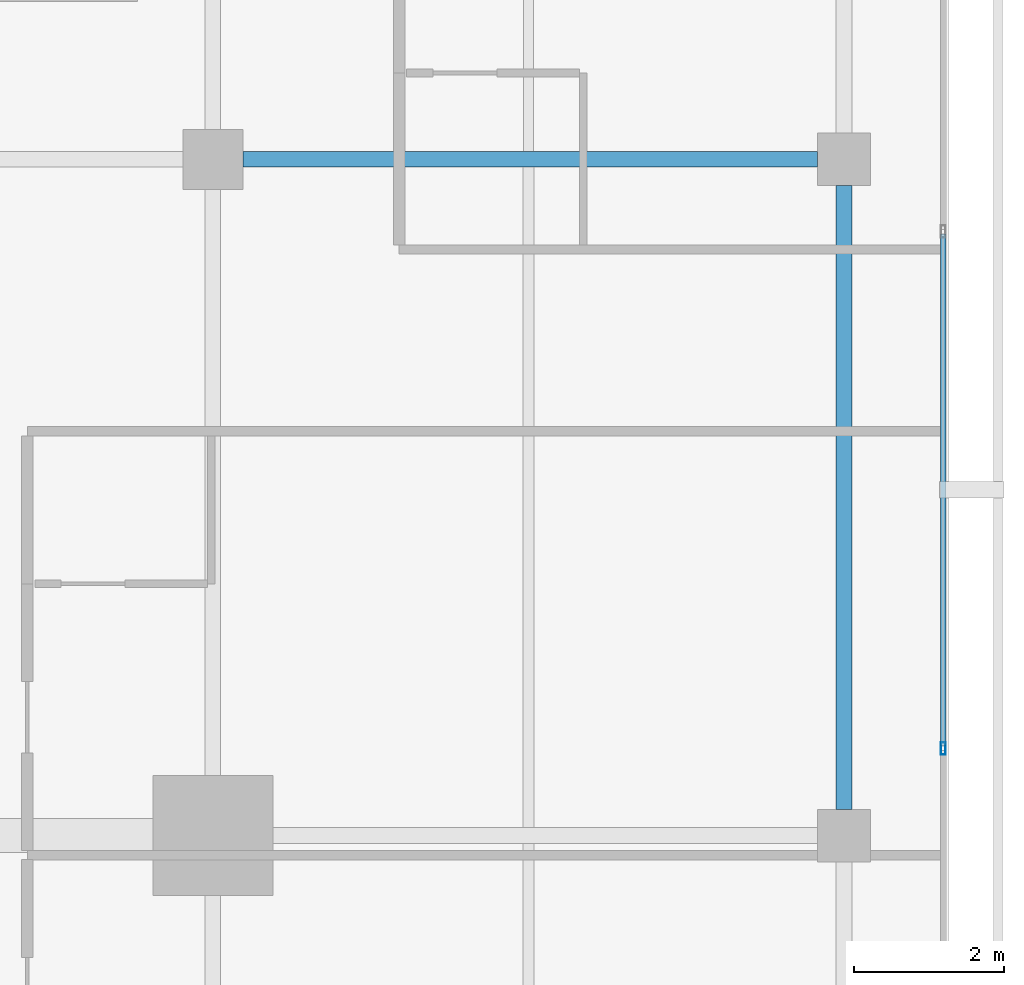
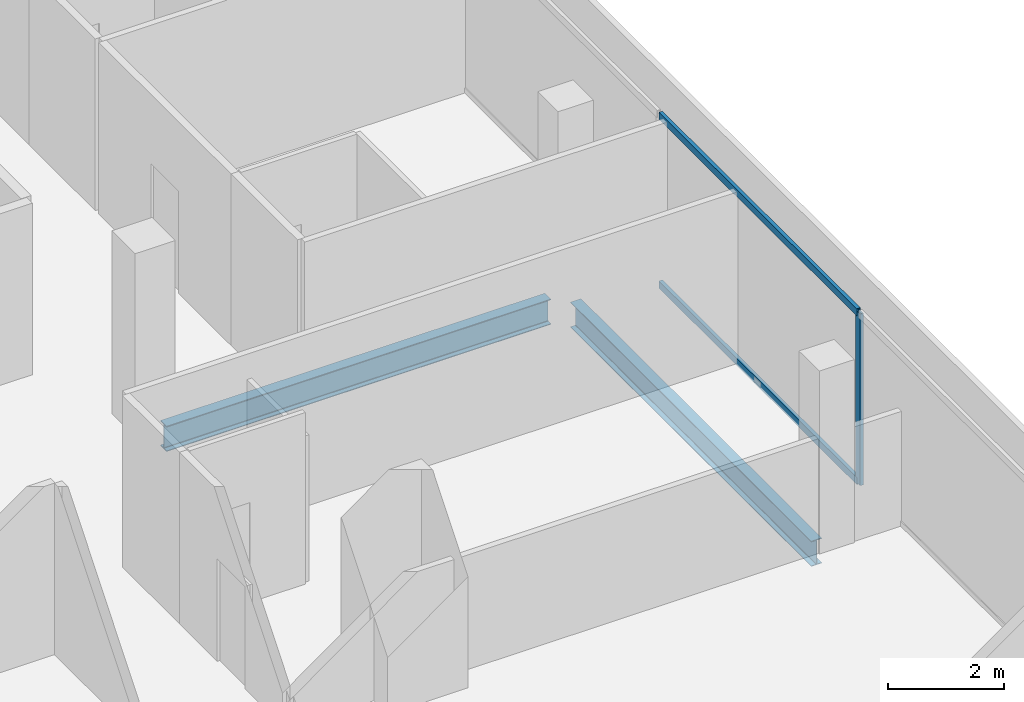
# One storey, part 14 of 26: 3 members, 2 beams, 1 element without a shape of its own.
"""IFC4 building model written with IfcOpenShell, lengths in metres."""

from ifc_helpers import new_model, si_unit, direction, frame, origin, origin_2d, place, context, subcontext, project, spatial, hollow_rectangle, i_section, extrude, material, layer, layer_set, material_profile, profile_set, type_object, element, aggregate, save


model = new_model("IFC4")

# Units and contexts
model_context = context("Model", 3, precision=1e-05, world=origin(), true_north=direction((0.0, 1.0)))
body_context = subcontext(model_context, "Body", "Model", "MODEL_VIEW")
ifc_project = project(units=[si_unit("LENGTHUNIT", "METRE"), si_unit("AREAUNIT", "SQUARE_METRE"), si_unit("VOLUMEUNIT", "CUBIC_METRE"), si_unit("PLANEANGLEUNIT", "RADIAN"), si_unit("MASSUNIT", "GRAM", prefix="KILO")], contexts=[model_context])

# Site, building, storey
site_placement = place(None, origin())
site = spatial("IfcSite", under=ifc_project, at=site_placement, CompositionType="ELEMENT")
building_placement = place(site_placement, origin())
building = spatial("IfcBuilding", under=site, at=building_placement, Name="Maruvema Waterfront Hotel and Observation Tower", CompositionType="ELEMENT")
storey_placement = place(building_placement, frame((0.0, 0.0, 243.25)))
storey = spatial("IfcBuildingStorey", under=building, at=storey_placement, Name="L59", CompositionType="ELEMENT", Elevation=243.25)

# Curtain wall, members
ifc_material_1 = material(Name="Anodised bronze aluminium and solar-control low-E IGU", Category="aluminium")
ifc_layer = layer(ifc_material_1, 0.159912109375, Name="Zone 3 Champagne Inner Thermal Curtain Wall System CW-04")
ifc_layer_set = layer_set([ifc_layer], Name="Anodised bronze aluminium and solar-control low-E IGU")
curtain_wall_type = type_object("IfcCurtainWallType", Name="Zone 3 Champagne Inner Thermal Curtain Wall System CW-04", PredefinedType="USERDEFINED", material=ifc_layer_set)
curtain_wall_placement = place(storey_placement, origin())
curtain_wall = element("IfcCurtainWall", 1, at=curtain_wall_placement, inside=storey, type_object=curtain_wall_type, Name="L59 Curtain Wall CW-L59-E", ObjectType="UNITISED CURTAIN WALL", PredefinedType="USERDEFINED")
ifc_material_2 = material(Name="Anodised architectural bronze aluminium", Category="aluminium")
ifc_material_profile_1 = material_profile(ifc_material_2, hollow_rectangle(XDim=0.070068359375, YDim=0.14990234375, WallThickness=0.00390625, at=origin_2d()), Name="ALU-T70x150")
ifc_profile_set_1 = profile_set([ifc_material_profile_1], Name="Anodised architectural bronze aluminium")
member_type_1 = type_object("IfcMemberType", Name="Curtain Wall Horizontal Transom ALU-T70x150", PredefinedType="USERDEFINED", material=ifc_profile_set_1)
member_1_placement = place(storey_placement, frame((60.1201171875, 28.18994140625, 0.030029296875), z_axis=(0.0, 1.0, 0.0), x_axis=(-1.0, 0.0, 0.0)))
member_1 = element("IfcMember", 2, at=member_1_placement, type_object=member_type_1, Name="CW-04 transom 3.1", ObjectType="TRANSOM", PredefinedType="USERDEFINED", context=body_context, shape_type="SweptSolid", body=[
    extrude(hollow_rectangle(XDim=0.070068359375, YDim=0.14990234375, WallThickness=0.00390625, at=origin_2d()), origin(), (0.0, 0.0, 1.0), 6.820068359375),
])
member_2_placement = place(storey_placement, frame((60.1201171875, 28.18994140625, 3.580078125), z_axis=(0.0, 1.0, 0.0), x_axis=(-1.0, 0.0, 0.0)))
member_2 = element("IfcMember", 3, at=member_2_placement, type_object=member_type_1, Name="CW-04 transom 3.2", ObjectType="TRANSOM", PredefinedType="USERDEFINED", context=body_context, shape_type="SweptSolid", body=[
    extrude(hollow_rectangle(XDim=0.070068359375, YDim=0.14990234375, WallThickness=0.00390625, at=origin_2d()), origin(), (0.0, 0.0, 1.0), 6.820068359375),
])
ifc_material_3 = material(Name="Anodised architectural bronze aluminium", Category="aluminium")
ifc_material_profile_2 = material_profile(ifc_material_3, hollow_rectangle(XDim=0.06494140625, YDim=0.1650390625, WallThickness=0.00390625, at=origin_2d()), Name="ALU-M65x165")
ifc_profile_set_2 = profile_set([ifc_material_profile_2], Name="Anodised architectural bronze aluminium")
member_type_2 = type_object("IfcMemberType", Name="Curtain Wall Primary Mullion ALU-M65x165", PredefinedType="MULLION", material=ifc_profile_set_2)
member_3_placement = place(storey_placement, frame((60.1201171875, 28.159912109375, 0.0), z_axis=(0.0, 0.0, 1.0), x_axis=(-1.0, 0.0, 0.0)))
member_3 = element("IfcMember", 4, at=member_3_placement, type_object=member_type_2, Name="CW-04 mullion 3", PredefinedType="MULLION", context=body_context, shape_type="SweptSolid", body=[
    extrude(hollow_rectangle(XDim=0.06494140625, YDim=0.1650390625, WallThickness=0.00390625, at=origin_2d()), origin(), (0.0, 0.0, 1.0), 3.610107421875),
])
aggregate(curtain_wall, [member_3, member_1, member_2])

# Beams
ifc_material_4 = material(Name="Steel ASTM A572 Grade 50", Category="steel")
ifc_material_profile_3 = material_profile(ifc_material_4, i_section(OverallWidth=0.208984375, OverallDepth=0.532958984375, WebThickness=0.01025390625, FlangeThickness=0.015625, FilletRadius=0.014892578125, at=origin_2d()), Name="W530x92.0")
ifc_profile_set_3 = profile_set([ifc_material_profile_3], Name="Steel ASTM A572 Grade 50")
beam_type = type_object("IfcBeamType", Name="Primary Floor Girder W530x92.0", PredefinedType="BEAM", material=ifc_profile_set_3)
beam_1_placement = place(storey_placement, frame((50.800048828125, 36.0, -0.506591796875), z_axis=(1.0, 0.0, 0.0), x_axis=(0.0, 1.0, 0.0)))
element("IfcBeam", 5, at=beam_1_placement, inside=storey, type_object=beam_type, Name="L59 Floor Girder EW-16", PredefinedType="BEAM", context=body_context, shape_type="SweptSolid", body=[
    extrude(i_section(OverallWidth=0.208984375, OverallDepth=0.532958984375, WebThickness=0.01025390625, FlangeThickness=0.015625, FilletRadius=0.014892578125, at=origin_2d()), origin(), (0.0, 0.0, 1.0), 7.64990234375),
])
beam_2_placement = place(storey_placement, frame((58.800048828125, 27.35009765625, -0.506591796875), z_axis=(0.0, 1.0, 0.0), x_axis=(-1.0, 0.0, 0.0)))
element("IfcBeam", 6, at=beam_2_placement, inside=storey, type_object=beam_type, Name="L59 Floor Girder NS-17", PredefinedType="BEAM", context=body_context, shape_type="SweptSolid", body=[
    extrude(i_section(OverallWidth=0.208984375, OverallDepth=0.532958984375, WebThickness=0.01025390625, FlangeThickness=0.015625, FilletRadius=0.014892578125, at=origin_2d()), origin(), (0.0, 0.0, 1.0), 8.2998046875),
])

save(model, "model.ifc")
